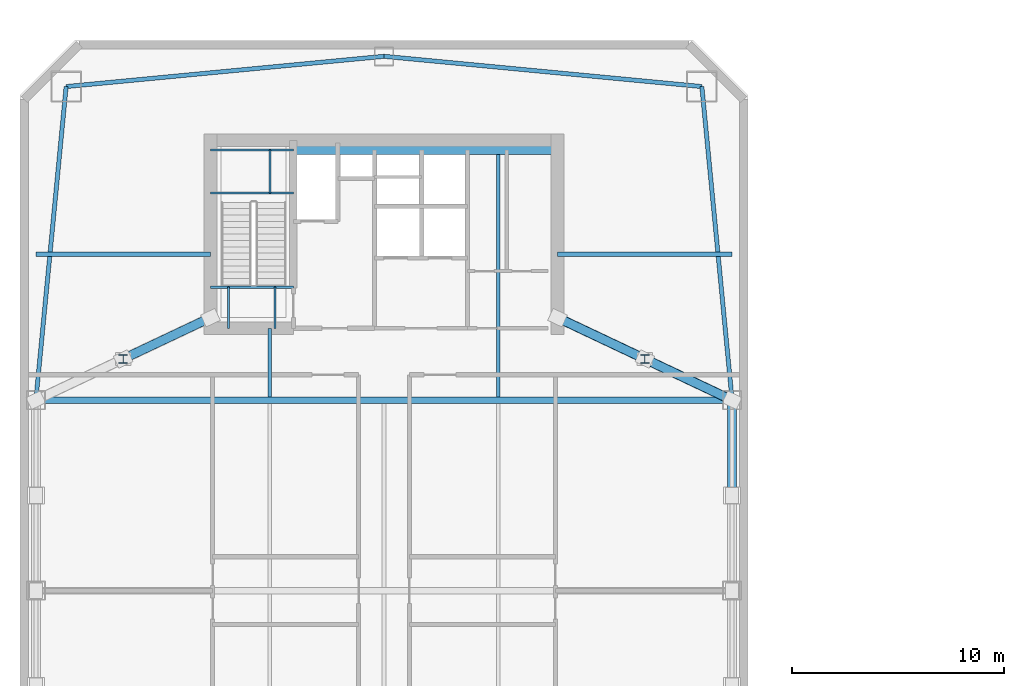
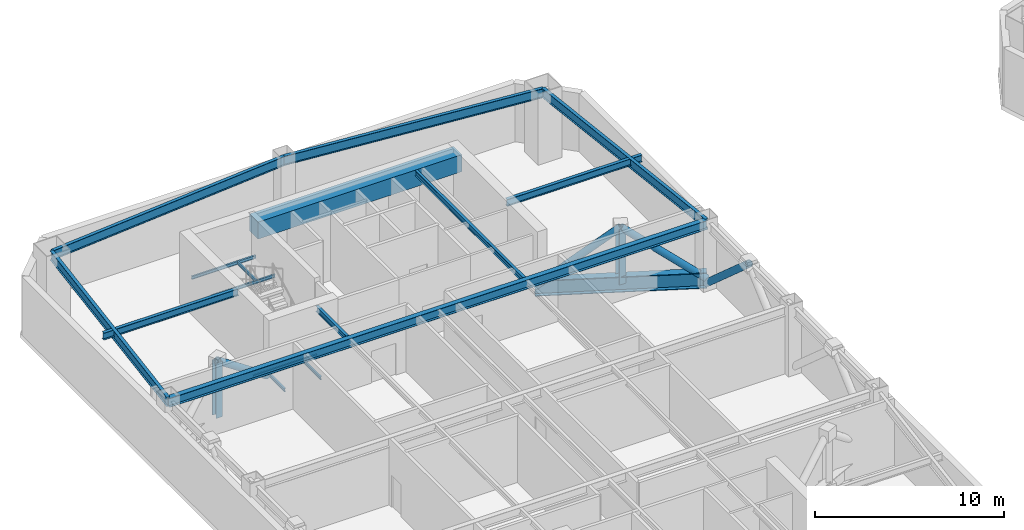
# One storey, part 5 of 17: 17 beams, 6 members.
"""IFC4 building model written with IfcOpenShell, lengths in metres."""

from ifc_helpers import new_model, si_unit, direction, frame, origin, origin_2d, place, context, subcontext, project, spatial, rectangle, hollow_circle, i_section, extrude, material, material_profile, profile_set, type_object, element, save


model = new_model("IFC4")

# Units and contexts
model_context = context("Model", 3, precision=1e-05, world=origin(), true_north=direction((0.0, 1.0)))
body_context = subcontext(model_context, "Body", "Model", "MODEL_VIEW")
ifc_project = project(units=[si_unit("LENGTHUNIT", "METRE"), si_unit("AREAUNIT", "SQUARE_METRE"), si_unit("VOLUMEUNIT", "CUBIC_METRE"), si_unit("PLANEANGLEUNIT", "RADIAN"), si_unit("MASSUNIT", "GRAM", prefix="KILO")], contexts=[model_context])

# Site, building, storey
site_placement = place(None, origin())
site = spatial("IfcSite", under=ifc_project, at=site_placement, CompositionType="ELEMENT")
building_placement = place(site_placement, origin())
building = spatial("IfcBuilding", under=site, at=building_placement, Name="Qiaolan Cultural Towers", CompositionType="ELEMENT")
storey_placement = place(building_placement, frame((0.0, 0.0, 184.0)))
storey = spatial("IfcBuildingStorey", under=building, at=storey_placement, Name="L49", CompositionType="ELEMENT", Elevation=184.0)

# Beams
ifc_material_1 = material(Name="Steel Q390GJB", Category="steel")
ifc_material_profile_1 = material_profile(ifc_material_1, i_section(OverallWidth=0.449951171875, OverallDepth=1.0, WebThickness=0.02392578125, FlangeThickness=0.0400390625, at=origin_2d()), Name="BH1000x450x24x40")
ifc_profile_set_1 = profile_set([ifc_material_profile_1], Name="Steel Q390GJB")
beam_type_1 = type_object("IfcBeamType", Name="BM-BH1000x450x24x40", PredefinedType="BEAM", material=ifc_profile_set_1)
beam_1_placement = place(storey_placement, frame((38.199951171875, 46.89990234375, 0.5), z_axis=(0.904076401393, -0.427370869906, 0.0), x_axis=(0.427370869906, 0.904076401393, 0.0)))
element("IfcBeam", 1, at=beam_1_placement, inside=storey, type_object=beam_type_1, Name="L49 T1 Outrigger Bottom Chord Girder EN", PredefinedType="BEAM", context=body_context, shape_type="SweptSolid", body=[
    extrude(i_section(OverallWidth=0.449951171875, OverallDepth=1.0, WebThickness=0.02392578125, FlangeThickness=0.0400390625, at=origin_2d()), origin(), (0.0, 0.0, 1.0), 9.125244140625),
])
ifc_material_2 = material(Name="Steel Q355B", Category="steel")
ifc_material_profile_2 = material_profile(ifc_material_2, i_section(OverallWidth=0.300048828125, OverallDepth=0.587890625, WebThickness=0.011962890625, FlangeThickness=0.02001953125, at=origin_2d()), Name="HM588x300x12x20")
ifc_profile_set_2 = profile_set([ifc_material_profile_2], Name="Steel Q355B")
beam_type_2 = type_object("IfcBeamType", Name="BM-HM588x300x12x20", PredefinedType="BEAM", material=ifc_profile_set_2)
beam_2_placement = place(storey_placement, frame((13.550048828125, 43.0, 4.0458984375), z_axis=(1.0, 0.0, 0.0), x_axis=(0.0, 1.0, 0.0)))
element("IfcBeam", 2, at=beam_2_placement, inside=storey, type_object=beam_type_2, Name="L49 T1 Primary Transverse Girder V3", PredefinedType="BEAM", context=body_context, shape_type="SweptSolid", body=[
    extrude(i_section(OverallWidth=0.300048828125, OverallDepth=0.587890625, WebThickness=0.011962890625, FlangeThickness=0.02001953125, at=origin_2d()), origin(), (0.0, 0.0, 1.0), 32.89990234375),
])
ifc_material_3 = material(Name="Steel Q355B", Category="steel")
ifc_material_profile_3 = material_profile(ifc_material_3, i_section(OverallWidth=0.175048828125, OverallDepth=0.35009765625, WebThickness=0.007080078125, FlangeThickness=0.010986328125, at=origin_2d()), Name="HN350x175x7x11")
ifc_profile_set_3 = profile_set([ifc_material_profile_3], Name="Steel Q355B")
beam_type_3 = type_object("IfcBeamType", Name="BM-JST-HN350x175x7x11", PredefinedType="JOIST", material=ifc_profile_set_3)
beam_3_placement = place(storey_placement, frame((24.60009765625, 43.14990234375, 4.1650390625), z_axis=(0.0, 1.0, 0.0), x_axis=(-1.0, 0.0, 0.0)))
element("IfcBeam", 3, at=beam_3_placement, inside=storey, type_object=beam_type_3, Name="L49 T1 Secondary Floor Joist U1-4", PredefinedType="JOIST", context=body_context, shape_type="SweptSolid", body=[
    extrude(i_section(OverallWidth=0.175048828125, OverallDepth=0.35009765625, WebThickness=0.007080078125, FlangeThickness=0.010986328125, at=origin_2d()), origin(), (0.0, 0.0, 1.0), 3.25),
])
beam_4_placement = place(storey_placement, frame((35.39990234375, 43.14990234375, 4.1650390625), z_axis=(0.0, 1.0, 0.0), x_axis=(-1.0, 0.0, 0.0)))
element("IfcBeam", 4, at=beam_4_placement, inside=storey, type_object=beam_type_3, Name="L49 T1 Secondary Floor Joist U3-4", PredefinedType="JOIST", context=body_context, shape_type="SweptSolid", body=[
    extrude(i_section(OverallWidth=0.175048828125, OverallDepth=0.35009765625, WebThickness=0.007080078125, FlangeThickness=0.010986328125, at=origin_2d()), origin(), (0.0, 0.0, 1.0), 11.4501953125),
])
ifc_material_4 = material(Name="Steel Q355B", Category="steel")
ifc_material_profile_4 = material_profile(ifc_material_4, i_section(OverallWidth=0.199951171875, OverallDepth=0.449951171875, WebThickness=0.009033203125, FlangeThickness=0.013916015625, at=origin_2d()), Name="HN450x200x9x14")
ifc_profile_set_4 = profile_set([ifc_material_profile_4], Name="Steel Q355B")
beam_type_4 = type_object("IfcBeamType", Name="BM-LNT-HN450x200x9x14", PredefinedType="LINTEL", material=ifc_profile_set_4)
for number, where, z_axis, x_axis, name in (
    (5, (21.800048828125, 49.89990234375, 4.114990234375), (-1.0, 0.0, 0.0), (0.0, -1.0, 0.0), "L49 T1 Core Flank Tie Lintel WN"),
    (6, (38.199951171875, 49.89990234375, 4.114990234375), (1.0, 0.0, 0.0), (0.0, 1.0, 0.0), "L49 T1 Core Flank Tie Lintel EN"),
):
    element("IfcBeam", number, at=place(storey_placement, frame(where, z_axis=z_axis, x_axis=x_axis)), inside=storey, type_object=beam_type_4, Name=name, PredefinedType="LINTEL", context=body_context, shape_type="SweptSolid", body=[
        extrude(i_section(OverallWidth=0.199951171875, OverallDepth=0.449951171875, WebThickness=0.009033203125, FlangeThickness=0.013916015625, at=origin_2d()), origin(), (0.0, 0.0, 1.0), 8.25),
    ])
ifc_material_5 = material(Name="Concrete C50", Category="concrete")
ifc_material_profile_5 = material_profile(ifc_material_5, rectangle(XDim=0.89990234375, YDim=1.10009765625, at=origin_2d()), Name="RC900x1100")
ifc_profile_set_5 = profile_set([ifc_material_profile_5], Name="Concrete C50")
beam_type_5 = type_object("IfcBeamType", Name="BM-RC900x1100", PredefinedType="BEAM", material=ifc_profile_set_5)
beam_5_placement = place(storey_placement, frame((25.719970703125, 55.050048828125, 3.7900390625), z_axis=(1.0, 0.0, 0.0), x_axis=(0.0, 1.0, 0.0)))
element("IfcBeam", 7, at=beam_5_placement, inside=storey, type_object=beam_type_5, Name="L49 T1 Core Header Girder N", PredefinedType="BEAM", context=body_context, shape_type="SweptSolid", body=[
    extrude(rectangle(XDim=0.89990234375, YDim=1.10009765625, at=origin_2d()), origin(), (0.0, 0.0, 1.0), 12.47998046875),
])
ifc_material_6 = material(Name="Steel Q355B", Category="steel")
ifc_material_profile_6 = material_profile(ifc_material_6, i_section(OverallWidth=0.199951171875, OverallDepth=0.60009765625, WebThickness=0.010986328125, FlangeThickness=0.01708984375, at=origin_2d()), Name="HN600x200x11x17")
ifc_profile_set_6 = profile_set([ifc_material_profile_6], Name="Steel Q355B")
beam_type_6 = type_object("IfcBeamType", Name="BM-SPD-HN600x200x11x17", PredefinedType="SPANDREL", material=ifc_profile_set_6)
beam_6_placement = place(storey_placement, frame((46.449951171875, 43.0, 4.0400390625), z_axis=(-0.096040159186, 0.995377459974, 0.0), x_axis=(-0.995377459974, -0.096040159186, 0.0)))
element("IfcBeam", 8, at=beam_6_placement, inside=storey, type_object=beam_type_6, Name="L49 T1 Perimeter Spandrel Beam 6", PredefinedType="SPANDREL", context=body_context, shape_type="SweptSolid", body=[
    extrude(i_section(OverallWidth=0.199951171875, OverallDepth=0.60009765625, WebThickness=0.010986328125, FlangeThickness=0.01708984375, at=origin_2d()), origin(), (0.0, 0.0, 1.0), 14.888916015625),
])
for number, where, z_axis, x_axis, name in (
    (9, (45.02001953125, 57.820068359375, 4.0400390625), (-0.995498889995, 0.094773203061, 0.0), (-0.094773203061, -0.995498889995, 0.0), "L49 T1 Perimeter Spandrel Beam 7"),
    (10, (30.0, 59.25, 4.0400390625), (-0.995498889995, -0.094773203061, 0.0), (0.094773203061, -0.995498889995, 0.0), "L49 T1 Perimeter Spandrel Beam 8"),
):
    element("IfcBeam", number, at=place(storey_placement, frame(where, z_axis=z_axis, x_axis=x_axis)), inside=storey, type_object=beam_type_6, Name=name, PredefinedType="SPANDREL", context=body_context, shape_type="SweptSolid", body=[
        extrude(i_section(OverallWidth=0.199951171875, OverallDepth=0.60009765625, WebThickness=0.010986328125, FlangeThickness=0.01708984375, at=origin_2d()), origin(), (0.0, 0.0, 1.0), 15.087890625),
    ])
beam_7_placement = place(storey_placement, frame((14.97998046875, 57.820068359375, 4.0400390625), z_axis=(-0.096040159186, -0.995377459974, 0.0), x_axis=(0.995377459974, -0.096040159186, 0.0)))
element("IfcBeam", 11, at=beam_7_placement, inside=storey, type_object=beam_type_6, Name="L49 T1 Perimeter Spandrel Beam 9", PredefinedType="SPANDREL", context=body_context, shape_type="SweptSolid", body=[
    extrude(i_section(OverallWidth=0.199951171875, OverallDepth=0.60009765625, WebThickness=0.010986328125, FlangeThickness=0.01708984375, at=origin_2d()), origin(), (0.0, 0.0, 1.0), 14.888916015625),
])
ifc_material_7 = material(Name="Steel Q355B", Category="steel")
ifc_material_profile_7 = material_profile(ifc_material_7, i_section(OverallWidth=0.10009765625, OverallDepth=0.199951171875, WebThickness=0.005615234375, FlangeThickness=0.008056640625, at=origin_2d()), Name="HN200x100x5.5x8")
ifc_profile_set_7 = profile_set([ifc_material_profile_7], Name="Steel Q355B")
beam_type_7 = type_object("IfcBeamType", Name="BM-STTRIM-200", PredefinedType="BEAM", material=ifc_profile_set_7)
beam_8_placement = place(storey_placement, frame((21.800048828125, 48.340087890625, -0.4599609375), z_axis=(1.0, 0.0, 0.0), x_axis=(0.0, 1.0, 0.0)))
element("IfcBeam", 12, at=beam_8_placement, inside=storey, type_object=beam_type_7, Name="L49 ST-W2 Floor Landing Header Beam", PredefinedType="BEAM", context=body_context, shape_type="SweptSolid", body=[
    extrude(i_section(OverallWidth=0.10009765625, OverallDepth=0.199951171875, WebThickness=0.005615234375, FlangeThickness=0.008056640625, at=origin_2d()), origin(), (0.0, 0.0, 1.0), 3.919921875),
])
for number, where, z_axis, x_axis, name in (
    (13, (22.64990234375, 46.39990234375, -0.4599609375), (0.0, 1.0, 0.0), (-1.0, 0.0, 0.0), "L49 ST-W2 Floor Landing Stringer 1"),
    (14, (24.85009765625, 46.39990234375, -0.4599609375), (0.0, 1.0, 0.0), (-1.0, 0.0, 0.0), "L49 ST-W2 Floor Landing Stringer 2"),
):
    element("IfcBeam", number, at=place(storey_placement, frame(where, z_axis=z_axis, x_axis=x_axis)), inside=storey, type_object=beam_type_7, Name=name, PredefinedType="BEAM", context=body_context, shape_type="SweptSolid", body=[
        extrude(i_section(OverallWidth=0.10009765625, OverallDepth=0.199951171875, WebThickness=0.005615234375, FlangeThickness=0.008056640625, at=origin_2d()), origin(), (0.0, 0.0, 1.0), 1.940185546875),
    ])
for number, where, z_axis, x_axis, name in (
    (15, (21.800048828125, 52.788818359375, 2.0), (1.0, 0.0, 0.0), (0.0, 1.0, 0.0), "L49 ST-W2 Stair Landing Support Beam 1-1"),
    (16, (21.800048828125, 54.820068359375, 2.0), (1.0, 0.0, 0.0), (0.0, 1.0, 0.0), "L49 ST-W2 Stair Landing Support Beam 1-2"),
):
    element("IfcBeam", number, at=place(storey_placement, frame(where, z_axis=z_axis, x_axis=x_axis)), inside=storey, type_object=beam_type_7, Name=name, PredefinedType="BEAM", context=body_context, shape_type="SweptSolid", body=[
        extrude(i_section(OverallWidth=0.10009765625, OverallDepth=0.199951171875, WebThickness=0.005615234375, FlangeThickness=0.008056640625, at=origin_2d()), origin(), (0.0, 0.0, 1.0), 3.919921875),
    ])
beam_9_placement = place(storey_placement, frame((24.610107421875, 52.788818359375, 2.0), z_axis=(0.0, 1.0, 0.0), x_axis=(-1.0, 0.0, 0.0)))
element("IfcBeam", 17, at=beam_9_placement, inside=storey, type_object=beam_type_7, Name="L49 ST-W2 Stair Landing Trimmer 1", PredefinedType="BEAM", context=body_context, shape_type="SweptSolid", body=[
    extrude(i_section(OverallWidth=0.10009765625, OverallDepth=0.199951171875, WebThickness=0.005615234375, FlangeThickness=0.008056640625, at=origin_2d()), origin(), (0.0, 0.0, 1.0), 2.03125),
])

# Members
ifc_material_8 = material(Name="Steel Q355B", Category="steel")
ifc_material_profile_8 = material_profile(ifc_material_8, hollow_circle(Radius=0.212890625, WallThickness=0.02001953125, at=origin_2d()), Name="CHS426x20")
ifc_profile_set_8 = profile_set([ifc_material_profile_8], Name="Steel Q355B")
member_type_1 = type_object("IfcMemberType", Name="MBR-BRC-CHS426x20", PredefinedType="BRACE", material=ifc_profile_set_8)
for number, where, z_axis, x_axis, name in (
    (18, (21.800048828125, 46.89990234375, 0.5), (-0.711260877954, -0.336223995751, 0.617301699474), (0.427370869906, -0.904076401393, 0.0), "L49 T1 Outrigger Truss Diagonal WN-1"),
    (19, (38.199951171875, 46.89990234375, 0.5), (0.711260877954, -0.336223995751, 0.617301699474), (0.427370869906, 0.904076401393, 0.0), "L49 T1 Outrigger Truss Diagonal EN-1"),
    (20, (42.324951171875, 44.949951171875, 4.080078125), (0.711260877954, -0.336223995751, -0.617301699474), (0.427370869906, 0.904076401393, 0.0), "L49 T1 Outrigger Truss Diagonal EN-2"),
):
    element("IfcMember", number, at=place(storey_placement, frame(where, z_axis=z_axis, x_axis=x_axis)), inside=storey, type_object=member_type_1, Name=name, PredefinedType="BRACE", context=body_context, shape_type="SweptSolid", body=[
        extrude(hollow_circle(Radius=0.212890625, WallThickness=0.02001953125, at=origin_2d()), origin(), (0.0, 0.0, 1.0), 5.799560546875),
    ])
member_placement = place(storey_placement, frame((46.449951171875, 38.5, 4.179931640625), z_axis=(0.0, 0.749061716489, -0.662500222559), x_axis=(-1.0, 0.0, 0.0)))
element("IfcMember", 21, at=member_placement, inside=storey, type_object=member_type_1, Name="L49 T1 Perimeter Belt Truss E2-B", PredefinedType="BRACE", context=body_context, shape_type="SweptSolid", body=[
    extrude(hollow_circle(Radius=0.212890625, WallThickness=0.02001953125, at=origin_2d()), origin(), (0.0, 0.0, 1.0), 6.007568359375),
])
ifc_material_9 = material(Name="Steel Q355B", Category="steel")
ifc_material_profile_9 = material_profile(ifc_material_9, i_section(OverallWidth=0.39990234375, OverallDepth=0.39990234375, WebThickness=0.012939453125, FlangeThickness=0.02099609375, at=origin_2d()), Name="HW400x400x13x21")
ifc_profile_set_9 = profile_set([ifc_material_profile_9], Name="Steel Q355B")
member_type_2 = type_object("IfcMemberType", Name="MBR-POST-HW400x400x13x21", PredefinedType="STUD", material=ifc_profile_set_9)
for number, where, z_axis, x_axis, name in (
    (22, (17.675048828125, 44.949951171875, 0.5), (0.0, 0.0, 1.0), (1.0, 0.0, 0.0), "L49 T1 Outrigger King Web WN"),
    (23, (42.324951171875, 44.949951171875, 0.5), (0.0, 0.0, 1.0), (1.0, 0.0, 0.0), "L49 T1 Outrigger King Web EN"),
):
    element("IfcMember", number, at=place(storey_placement, frame(where, z_axis=z_axis, x_axis=x_axis)), inside=storey, type_object=member_type_2, Name=name, PredefinedType="STUD", context=body_context, shape_type="SweptSolid", body=[
        extrude(i_section(OverallWidth=0.39990234375, OverallDepth=0.39990234375, WebThickness=0.012939453125, FlangeThickness=0.02099609375, at=origin_2d()), origin(), (0.0, 0.0, 1.0), 3.580078125),
    ])

save(model, "model.ifc")
